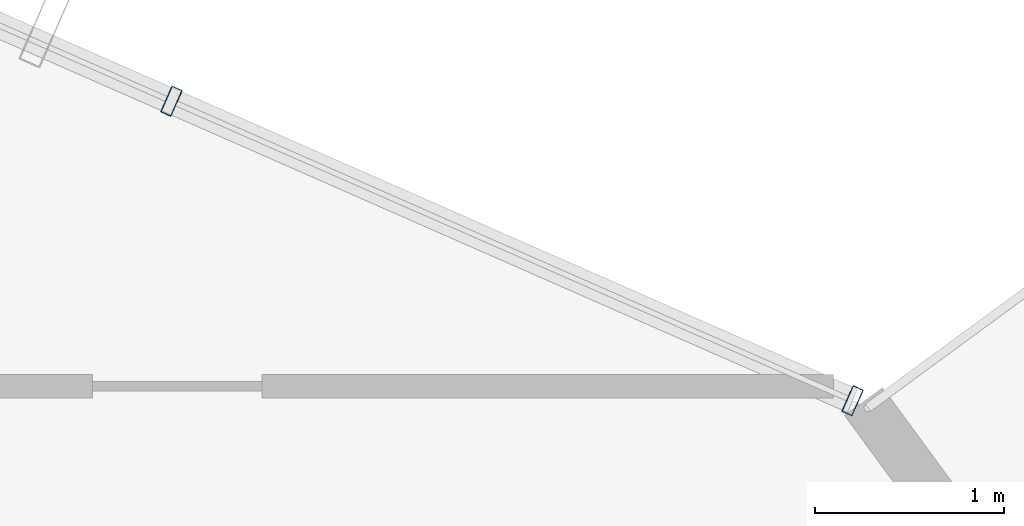
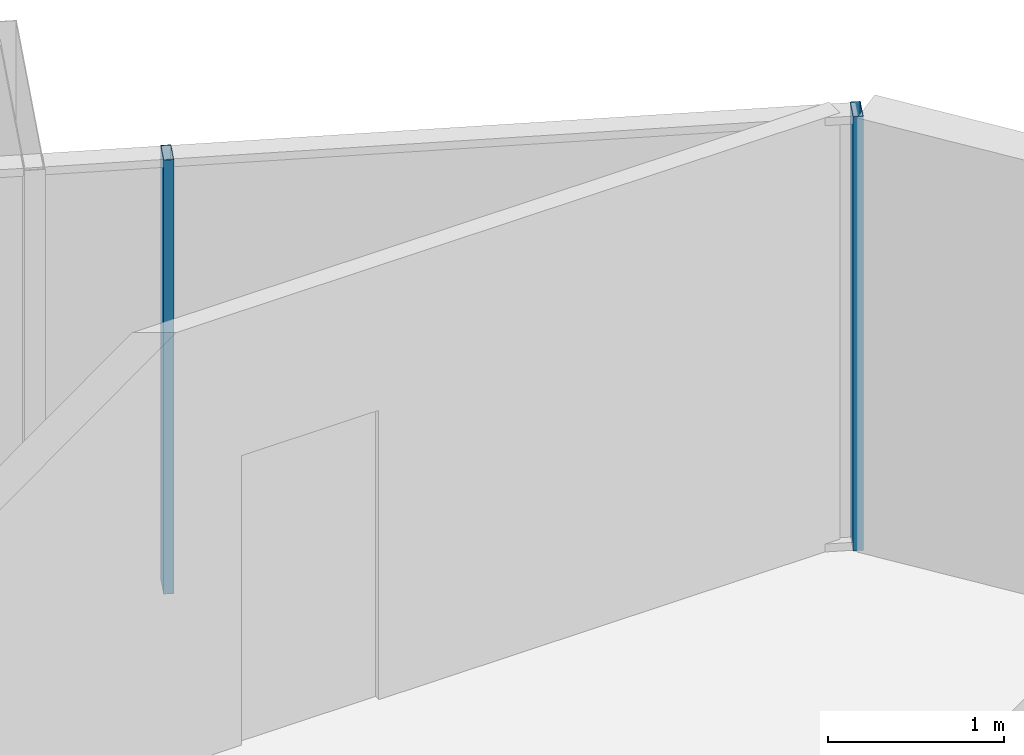
# One storey, part 26 of 32: 2 members, 1 element without a shape of its own.
"""IFC4 building model written with IfcOpenShell, lengths in metres."""

from ifc_helpers import new_model, si_unit, direction, frame, origin, origin_2d, place, context, subcontext, project, spatial, hollow_rectangle, extrude, source, transform, mapped, material, layer, layer_set, material_profile, profile_set, type_object, element, aggregate, save


model = new_model("IFC4")

# Units and contexts
model_context = context("Model", 3, precision=1e-05, world=origin(), true_north=direction((0.0, 1.0)))
body_context = subcontext(model_context, "Body", "Model", "MODEL_VIEW")
ifc_project = project(units=[si_unit("LENGTHUNIT", "METRE"), si_unit("AREAUNIT", "SQUARE_METRE"), si_unit("VOLUMEUNIT", "CUBIC_METRE"), si_unit("PLANEANGLEUNIT", "RADIAN"), si_unit("MASSUNIT", "GRAM", prefix="KILO")], contexts=[model_context])

# Site, building, storey
site_placement = place(None, origin())
site = spatial("IfcSite", under=ifc_project, at=site_placement, CompositionType="ELEMENT")
building_placement = place(site_placement, origin())
building = spatial("IfcBuilding", under=site, at=building_placement, Name="Veraguas Prism Commons", CompositionType="ELEMENT")
storey_placement = place(building_placement, frame((0.0, 0.0, 185.35009765625)))
storey = spatial("IfcBuildingStorey", under=building, at=storey_placement, Name="L52", CompositionType="ELEMENT", Elevation=185.35009765625)

# Curtain wall, members
ifc_material = material(Name="Anodised aluminium EN AW-6063 T6", Category="aluminium")
ifc_layer = layer(ifc_material, 0.14990234375, Name="Unitised Flush Curtain Wall Zone 3", Category="aluminium")
ifc_layer_set = layer_set([ifc_layer], Name="Anodised aluminium EN AW-6063 T6")
curtain_wall_type = type_object("IfcCurtainWallType", Name="Unitised Flush Curtain Wall Zone 3", PredefinedType="NOTDEFINED", material=ifc_layer_set)
curtain_wall_placement = place(storey_placement, origin())
curtain_wall = element("IfcCurtainWall", 1, at=curtain_wall_placement, inside=storey, type_object=curtain_wall_type, Name="Tower Facade Curtain Wall L52-F1", PredefinedType="NOTDEFINED")
ifc_material_profile = material_profile(ifc_material, hollow_rectangle(XDim=0.06005859375, YDim=0.14990234375, WallThickness=0.0029296875, at=origin_2d()), Name="AL60X150X3")
ifc_profile_set = profile_set([ifc_material_profile], Name="Anodised aluminium EN AW-6063 T6")
member_type = type_object("IfcMemberType", Name="Curtain Wall Mullion Upper AL 60x150x3", PredefinedType="MULLION", material=ifc_profile_set)
shared_shape = source(origin(), body_context, "Body", "SweptSolid", [
    extrude(hollow_rectangle(XDim=0.06005859375, YDim=0.14990234375, WallThickness=0.0029296875, at=origin_2d()), origin(), (0.0, 0.0, 1.0), 3.014892578125),
])
member_1_placement = place(storey_placement, frame((38.380859375, 37.022705078125, 0.0), z_axis=(0.0, 0.0, 1.0), x_axis=(-0.915384568301, 0.402580541155, 0.0)))
member_1 = element("IfcMember", 2, at=member_1_placement, type_object=member_type, Name="CW-Z3 Mullion 1", PredefinedType="MULLION", context=body_context, shape_type="MappedRepresentation", body=[
    mapped(shared_shape, transform((0.0, 0.0, 0.0), scale=1.0)),
])
member_2_placement = place(storey_placement, frame((34.76904296875, 38.611083984375, 0.0), z_axis=(0.0, 0.0, 1.0), x_axis=(-0.915384568301, 0.402580541155, 0.0)))
member_2 = element("IfcMember", 3, at=member_2_placement, type_object=member_type, Name="CW-Z3 Mullion 2", PredefinedType="MULLION", context=body_context, shape_type="MappedRepresentation", body=[
    mapped(shared_shape, transform((0.0, 0.0, 0.0), scale=1.0)),
])
aggregate(curtain_wall, [member_1, member_2])

save(model, "model.ifc")
